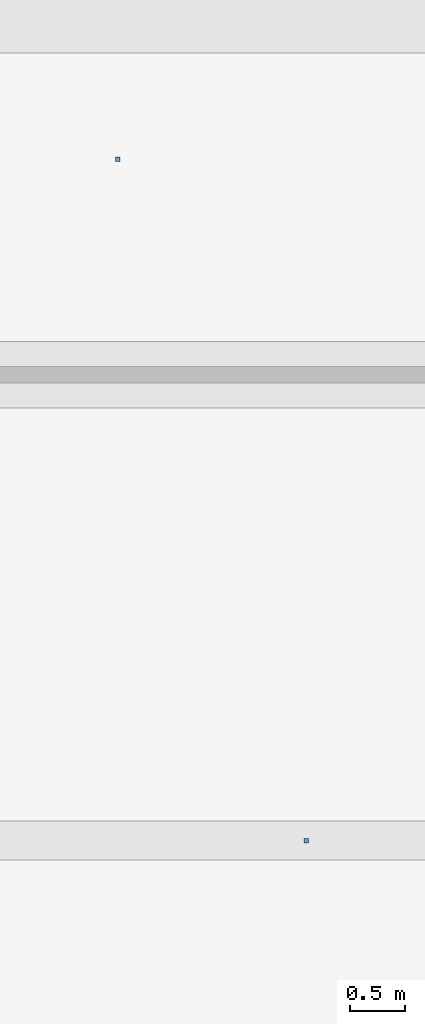
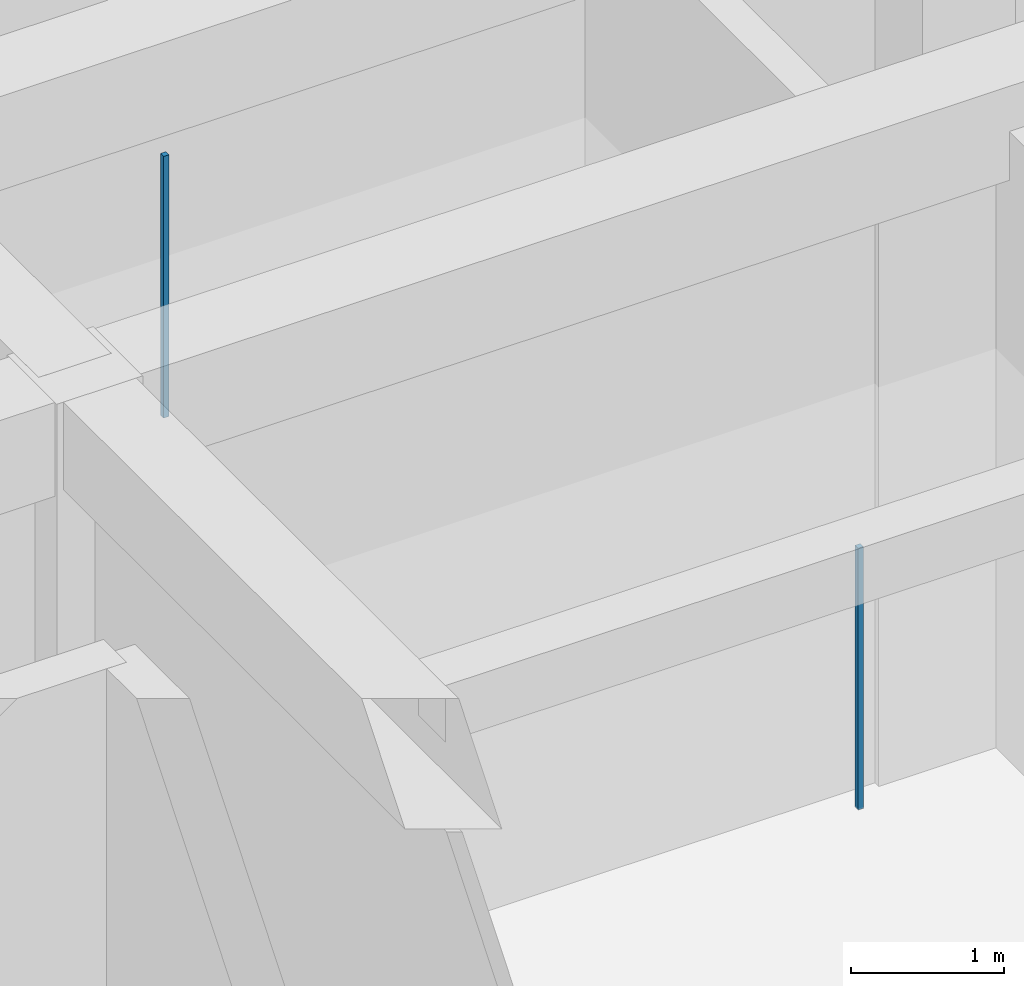
# One storey, part 114 of 167: 2 discrete accessories.
"""IFC4 building model written with IfcOpenShell, lengths in metres."""

from ifc_helpers import new_model, si_unit, direction, frame, origin, origin_2d, place, context, subcontext, project, spatial, rectangle, extrude, material, type_object, element, save


model = new_model("IFC4")

# Units and contexts
model_context = context("Model", 3, precision=1e-05, world=origin(), true_north=direction((0.0, 1.0)))
body_context = subcontext(model_context, "Body", "Model", "MODEL_VIEW")
ifc_project = project(units=[si_unit("LENGTHUNIT", "METRE"), si_unit("AREAUNIT", "SQUARE_METRE"), si_unit("VOLUMEUNIT", "CUBIC_METRE"), si_unit("PLANEANGLEUNIT", "RADIAN"), si_unit("MASSUNIT", "GRAM", prefix="KILO")], contexts=[model_context])

# Site, building, storey
site_placement = place(None, origin())
site = spatial("IfcSite", under=ifc_project, at=site_placement, CompositionType="ELEMENT")
building_placement = place(site_placement, origin())
building = spatial("IfcBuilding", under=site, at=building_placement, Name="Varncliffe General Hospital", CompositionType="ELEMENT")
storey_placement = place(building_placement, origin())
storey = spatial("IfcBuildingStorey", under=building, at=storey_placement, Name="L00", CompositionType="ELEMENT", Elevation=0.0)

# Discrete accessories
ifc_material = material(Name="Powder-coated hospital steel guardrail and handrail", Category="steel")
discrete_accessory_type = type_object("IfcDiscreteAccessoryType", Name="Suspended Ceiling Hanger Bracket CH01", PredefinedType="BRACKET", material=ifc_material)
for number, where, z_axis, x_axis, name in (
    (1, (79.10009765625, 95.39990234375, 3.18994140625), (0.0, 0.0, 1.0), (1.0, 0.0, 0.0), "L00 Suspended Ceiling Hanger 54"),
    (2, (77.39990234375, 101.54248046875, 3.18994140625), (0.0, 0.0, 1.0), (1.0, 0.0, 0.0), "L00 Suspended Ceiling Hanger 108"),
):
    element("IfcDiscreteAccessory", number, at=place(storey_placement, frame(where, z_axis=z_axis, x_axis=x_axis)), inside=storey, type_object=discrete_accessory_type, Name=name, PredefinedType="BRACKET", context=body_context, shape_type="SweptSolid", body=[
        extrude(rectangle(XDim=0.0400390625, YDim=0.0400390625, at=origin_2d()), origin(), (0.0, 0.0, 1.0), 2.090087890625),
    ])

save(model, "model.ifc")
